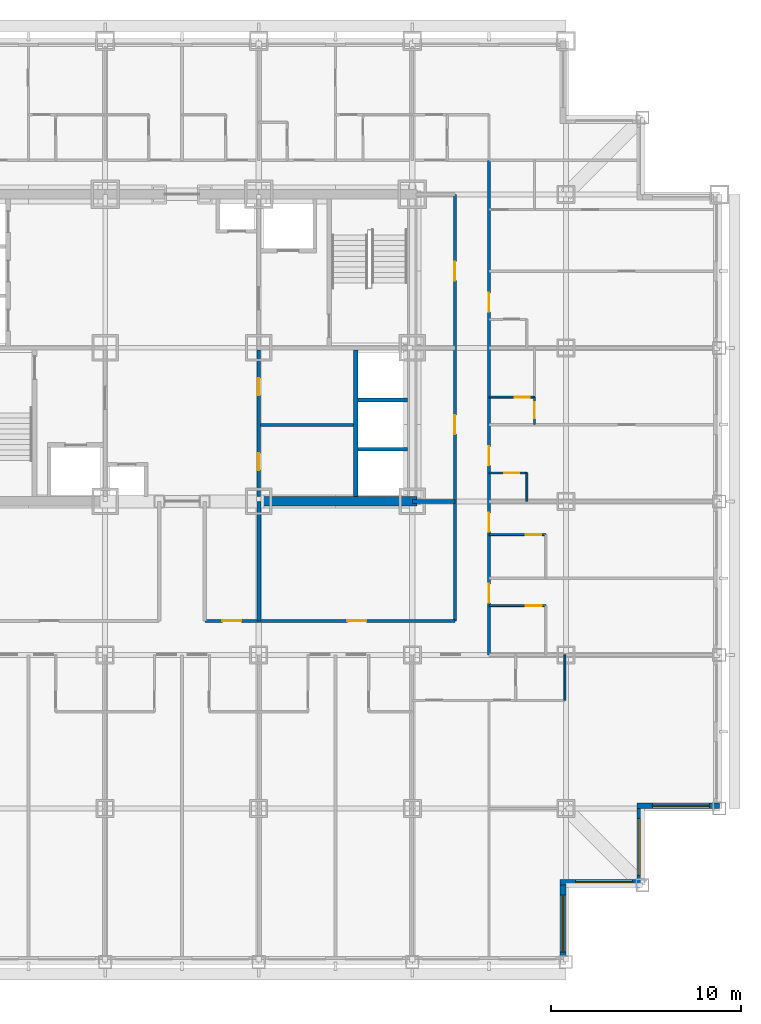
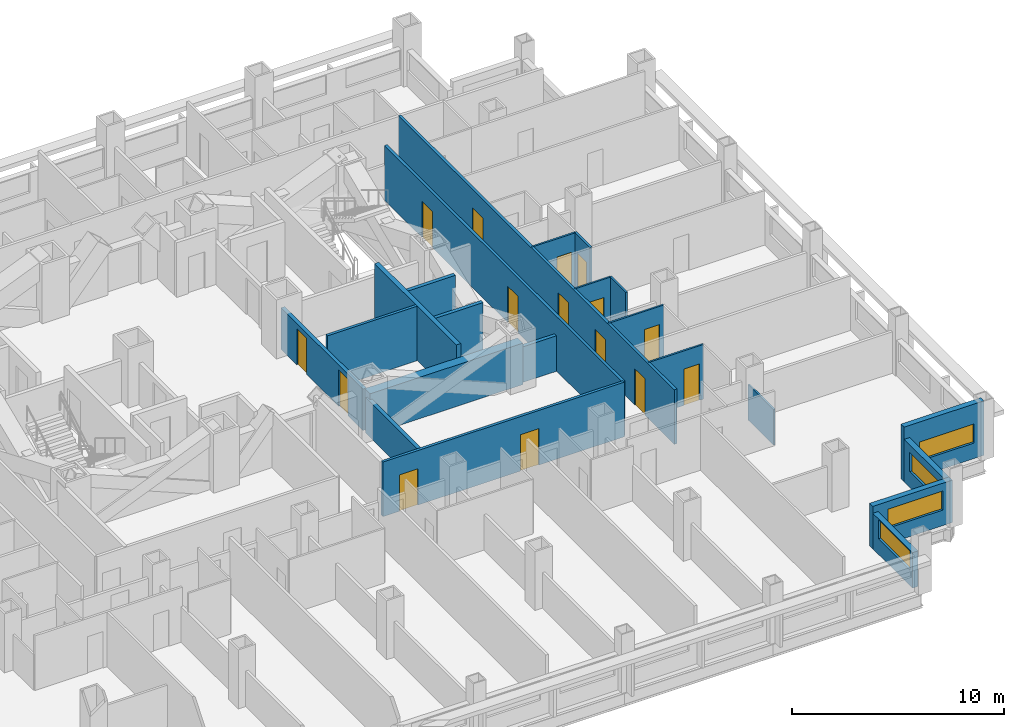
# One storey, part 7 of 12: 22 walls, 15 doors, 4 windows, 19 openings.
"""IFC4 building model written with IfcOpenShell, lengths in metres."""

from ifc_helpers import new_model, si_unit, direction, frame, frame_2d, origin, place, context, subcontext, project, spatial, rectangle, extrude, material, layer, layer_set, type_object, element, fill, save


model = new_model("IFC4")

# Units and contexts
model_context = context("Model", 3, precision=1e-05, world=origin(), true_north=direction((0.0, 1.0)))
body_context = subcontext(model_context, "Body", "Model", "MODEL_VIEW")
ifc_project = project(units=[si_unit("LENGTHUNIT", "METRE"), si_unit("AREAUNIT", "SQUARE_METRE"), si_unit("VOLUMEUNIT", "CUBIC_METRE"), si_unit("PLANEANGLEUNIT", "RADIAN"), si_unit("MASSUNIT", "GRAM", prefix="KILO")], contexts=[model_context])

# Site, building, storey
site_placement = place(None, origin())
site = spatial("IfcSite", under=ifc_project, at=site_placement, CompositionType="ELEMENT")
building_placement = place(site_placement, origin())
building = spatial("IfcBuilding", under=site, at=building_placement, Name="Kopane Lantern Tower", CompositionType="ELEMENT")
storey_placement = place(building_placement, frame((0.0, 0.0, 87.39990234375)))
storey = spatial("IfcBuildingStorey", under=building, at=storey_placement, Name="L22", CompositionType="ELEMENT", Elevation=87.39990234375)

# Wall, opening, door
ifc_material_1 = material(Name="Gypsum board on steel studs", Category="steel")
ifc_layer_1 = layer(ifc_material_1, 0.1201171875)
ifc_layer_set_1 = layer_set([ifc_layer_1], Name="APARTMENT INTERNAL WALL 120")
wall_type_1 = type_object("IfcWallType", Name="APARTMENT INTERNAL WALL 120", PredefinedType="PARTITIONING", material=ifc_layer_set_1)
wall_1_placement = place(storey_placement, frame((46.949951171875, 29.81005859375, 0.0), z_axis=(0.0, 0.0, 1.0), x_axis=(0.0, -1.0, 0.0)))
wall_1 = element("IfcWall", 1, at=wall_1_placement, inside=storey, type_object=wall_type_1, Name="Apartment Internal Wall 120 L22", PredefinedType="PARTITIONING", context=body_context, shape_type="SweptSolid", body=[
    extrude(rectangle(XDim=1.4599609375, YDim=0.1201171875, at=frame_2d((0.72998046875, 0.0))), origin(), (0.0, 0.0, 1.0), 3.150146484375),
])
opening_1_placement = place(wall_1_placement, frame((0.27490234375, 0.0, 0.0)))
opening_1 = element("IfcOpeningElement", 2, at=opening_1_placement, cuts=wall_1, Name="Opening L22-075", PredefinedType="OPENING", context=body_context, shape_type="SweptSolid", body=[
    extrude(rectangle(XDim=0.85009765625, YDim=2.10009765625, at=frame_2d((0.425048828125, 1.050048828125))), frame((0.0, 0.070068359375, 0.0), z_axis=(0.0, -1.0, 0.0), x_axis=(1.0, 0.0, 0.0)), (0.0, 0.0, 1.0), 0.14013671875),
])
ifc_material_2 = material(Name="Timber door set", Category="wood")
door_type_1 = type_object("IfcDoorType", Name="DOOR D4 850x2100", OperationType="SINGLE_SWING_LEFT", PredefinedType="DOOR", material=ifc_material_2)
door_1_placement = place(opening_1_placement, origin())
door_1 = element("IfcDoor", 3, at=door_1_placement, inside=storey, type_object=door_type_1, Name="Door L22-075", OperationType="SINGLE_SWING_RIGHT", OverallHeight=2.10009765625, OverallWidth=0.85009765625, PredefinedType="DOOR", context=body_context, shape_type="SweptSolid", body=[
    extrude(rectangle(XDim=0.85009765625, YDim=2.10009765625, at=frame_2d((0.425048828125, 1.050048828125))), frame((0.0, 0.02490234375, 0.0), z_axis=(0.0, -1.0, 0.0), x_axis=(1.0, 0.0, 0.0)), (0.0, 0.0, 1.0), 0.050048828125),
])
fill(opening_1, door_1)

ifc_material_3 = material(Name="Moisture-resistant board on steel studs", Category="steel")
ifc_layer_2 = layer(ifc_material_3, 0.10009765625)
ifc_layer_set_2 = layer_set([ifc_layer_2], Name="BATHROOM WALL 100")
wall_type_2 = type_object("IfcWallType", Name="BATHROOM WALL 100", PredefinedType="PARTITIONING", material=ifc_layer_set_2)
wall_2_placement = place(storey_placement, frame((44.550048828125, 18.800048828125, 0.0), z_axis=(0.0, 0.0, 1.0), x_axis=(1.0, 0.0, 0.0)))
wall_2 = element("IfcWall", 4, at=wall_2_placement, inside=storey, type_object=wall_type_2, Name="Bathroom Wall 100 L22", PredefinedType="PARTITIONING", context=body_context, shape_type="SweptSolid", body=[
    extrude(rectangle(XDim=3.0, YDim=0.10009765625, at=frame_2d((1.5, 0.0))), origin(), (0.0, 0.0, 1.0), 3.150146484375),
])
opening_2_placement = place(wall_2_placement, frame((1.925048828125, 0.0, 0.0)))
opening_2 = element("IfcOpeningElement", 5, at=opening_2_placement, cuts=wall_2, Name="Opening L22-045", PredefinedType="OPENING", context=body_context, shape_type="SweptSolid", body=[
    extrude(rectangle(XDim=0.85009765625, YDim=2.10009765625, at=frame_2d((0.425048828125, 1.050048828125))), frame((0.0, 0.06005859375, 0.0), z_axis=(0.0, -1.0, 0.0), x_axis=(1.0, 0.0, 0.0)), (0.0, 0.0, 1.0), 0.1201171875),
])
door_2_placement = place(opening_2_placement, origin())
door_2 = element("IfcDoor", 6, at=door_2_placement, inside=storey, type_object=door_type_1, Name="Door L22-045", OperationType="SINGLE_SWING_LEFT", OverallHeight=2.10009765625, OverallWidth=0.85009765625, PredefinedType="DOOR", context=body_context, shape_type="SweptSolid", body=[
    extrude(rectangle(XDim=0.85009765625, YDim=2.10009765625, at=frame_2d((0.425048828125, 1.050048828125))), frame((0.0, 0.02490234375, 0.0), z_axis=(0.0, -1.0, 0.0), x_axis=(1.0, 0.0, 0.0)), (0.0, 0.0, 1.0), 0.050048828125),
])
fill(opening_2, door_2)

wall_3_placement = place(storey_placement, frame((44.550048828125, 22.550048828125, 0.0), z_axis=(0.0, 0.0, 1.0), x_axis=(1.0, 0.0, 0.0)))
wall_3 = element("IfcWall", 7, at=wall_3_placement, inside=storey, type_object=wall_type_2, Name="Bathroom Wall 100 L22", PredefinedType="PARTITIONING", context=body_context, shape_type="SweptSolid", body=[
    extrude(rectangle(XDim=3.0, YDim=0.10009765625, at=frame_2d((1.5, 0.0))), origin(), (0.0, 0.0, 1.0), 3.150146484375),
])
opening_3_placement = place(wall_3_placement, frame((1.949951171875, 0.0, 0.0)))
opening_3 = element("IfcOpeningElement", 8, at=opening_3_placement, cuts=wall_3, Name="Opening L22-047", PredefinedType="OPENING", context=body_context, shape_type="SweptSolid", body=[
    extrude(rectangle(XDim=0.800048828125, YDim=2.10009765625, at=frame_2d((0.39990234375, 1.050048828125))), frame((0.0, 0.06005859375, 0.0), z_axis=(0.0, -1.0, 0.0), x_axis=(1.0, 0.0, 0.0)), (0.0, 0.0, 1.0), 0.1201171875),
])
ifc_material_4 = material(Name="Timber door set", Category="wood")
door_type_2 = type_object("IfcDoorType", Name="DOOR D2 800x2100", OperationType="SINGLE_SWING_LEFT", PredefinedType="DOOR", material=ifc_material_4)
door_3_placement = place(opening_3_placement, origin())
door_3 = element("IfcDoor", 9, at=door_3_placement, inside=storey, type_object=door_type_2, Name="Door L22-047", OperationType="SINGLE_SWING_LEFT", OverallHeight=2.10009765625, OverallWidth=0.800048828125, PredefinedType="DOOR", context=body_context, shape_type="SweptSolid", body=[
    extrude(rectangle(XDim=0.800048828125, YDim=2.10009765625, at=frame_2d((0.39990234375, 1.050048828125))), frame((0.0, 0.02490234375, 0.0), z_axis=(0.0, -1.0, 0.0), x_axis=(1.0, 0.0, 0.0)), (0.0, 0.0, 1.0), 0.050048828125),
])
fill(opening_3, door_3)

# Wall
wall_4_placement = place(storey_placement, frame((46.550048828125, 24.300048828125, 0.0), z_axis=(0.0, 0.0, 1.0), x_axis=(0.0, 1.0, 0.0)))
element("IfcWall", 10, at=wall_4_placement, inside=storey, type_object=wall_type_2, Name="Bathroom Wall 100 L22", PredefinedType="PARTITIONING", context=body_context, shape_type="SweptSolid", body=[
    extrude(rectangle(XDim=1.5, YDim=0.10009765625, at=frame_2d((0.75, 0.0))), origin(), (0.0, 0.0, 1.0), 3.150146484375),
])

# Wall, opening, door
wall_5_placement = place(storey_placement, frame((44.550048828125, 25.800048828125, 0.0), z_axis=(0.0, 0.0, 1.0), x_axis=(1.0, 0.0, 0.0)))
wall_5 = element("IfcWall", 11, at=wall_5_placement, inside=storey, type_object=wall_type_2, Name="Bathroom Wall 100 L22", PredefinedType="PARTITIONING", context=body_context, shape_type="SweptSolid", body=[
    extrude(rectangle(XDim=2.0, YDim=0.10009765625, at=frame_2d((1.0, 0.0))), origin(), (0.0, 0.0, 1.0), 3.150146484375),
])
opening_4_placement = place(wall_5_placement, frame((0.800048828125, 0.0, 0.0)))
opening_4 = element("IfcOpeningElement", 12, at=opening_4_placement, cuts=wall_5, Name="Opening L22-049", PredefinedType="OPENING", context=body_context, shape_type="SweptSolid", body=[
    extrude(rectangle(XDim=0.800048828125, YDim=2.10009765625, at=frame_2d((0.39990234375, 1.050048828125))), frame((0.0, 0.06005859375, 0.0), z_axis=(0.0, -1.0, 0.0), x_axis=(1.0, 0.0, 0.0)), (0.0, 0.0, 1.0), 0.1201171875),
])
door_4_placement = place(opening_4_placement, origin())
door_4 = element("IfcDoor", 13, at=door_4_placement, inside=storey, type_object=door_type_2, Name="Door L22-049", OperationType="SINGLE_SWING_LEFT", OverallHeight=2.10009765625, OverallWidth=0.800048828125, PredefinedType="DOOR", context=body_context, shape_type="SweptSolid", body=[
    extrude(rectangle(XDim=0.800048828125, YDim=2.10009765625, at=frame_2d((0.39990234375, 1.050048828125))), frame((0.0, 0.02490234375, 0.0), z_axis=(0.0, -1.0, 0.0), x_axis=(1.0, 0.0, 0.0)), (0.0, 0.0, 1.0), 0.050048828125),
])
fill(opening_4, door_4)

wall_6_placement = place(storey_placement, frame((44.550048828125, 29.800048828125, 0.0), z_axis=(0.0, 0.0, 1.0), x_axis=(1.0, 0.0, 0.0)))
wall_6 = element("IfcWall", 14, at=wall_6_placement, inside=storey, type_object=wall_type_2, Name="Bathroom Wall 100 L22", PredefinedType="PARTITIONING", context=body_context, shape_type="SweptSolid", body=[
    extrude(rectangle(XDim=2.39990234375, YDim=0.10009765625, at=frame_2d((1.199951171875, 0.0))), origin(), (0.0, 0.0, 1.0), 3.150146484375),
])
opening_5_placement = place(wall_6_placement, frame((1.35009765625, 0.0, 0.0)))
opening_5 = element("IfcOpeningElement", 15, at=opening_5_placement, cuts=wall_6, Name="Opening L22-051", PredefinedType="OPENING", context=body_context, shape_type="SweptSolid", body=[
    extrude(rectangle(XDim=0.800048828125, YDim=2.10009765625, at=frame_2d((0.39990234375, 1.050048828125))), frame((0.0, 0.06005859375, 0.0), z_axis=(0.0, -1.0, 0.0), x_axis=(1.0, 0.0, 0.0)), (0.0, 0.0, 1.0), 0.1201171875),
])
door_5_placement = place(opening_5_placement, origin())
door_5 = element("IfcDoor", 16, at=door_5_placement, inside=storey, type_object=door_type_2, Name="Door L22-051", OperationType="SINGLE_SWING_LEFT", OverallHeight=2.10009765625, OverallWidth=0.800048828125, PredefinedType="DOOR", context=body_context, shape_type="SweptSolid", body=[
    extrude(rectangle(XDim=0.800048828125, YDim=2.10009765625, at=frame_2d((0.39990234375, 1.050048828125))), frame((0.0, 0.02490234375, 0.0), z_axis=(0.0, -1.0, 0.0), x_axis=(1.0, 0.0, 0.0)), (0.0, 0.0, 1.0), 0.050048828125),
])
fill(opening_5, door_5)

# Walls
wall_7_placement = place(storey_placement, frame((48.550048828125, 16.199951171875, 0.0), z_axis=(0.0, 0.0, 1.0), x_axis=(0.0, -1.0, 0.0)))
element("IfcWall", 17, at=wall_7_placement, inside=storey, type_object=wall_type_2, Name="Bathroom Wall 100 L22", PredefinedType="PARTITIONING", context=body_context, shape_type="SweptSolid", body=[
    extrude(rectangle(XDim=2.39990234375, YDim=0.10009765625, at=frame_2d((1.199951171875, 0.0))), origin(), (0.0, 0.0, 1.0), 2.050048828125),
])
ifc_material_5 = material(Name="Gypsum shaft wall EI 120", Category="gypsum")
ifc_layer_3 = layer(ifc_material_5, 0.5)
ifc_layer_set_3 = layer_set([ifc_layer_3], Name="CORE PERIMETER WALL 500 EI 120")
wall_type_3 = type_object("IfcWallType", Name="CORE PERIMETER WALL 500 EI 120", PredefinedType="SOLIDWALL", material=ifc_layer_set_3)
wall_8_placement = place(storey_placement, frame((32.39990234375, 24.300048828125, 0.0), z_axis=(0.0, 0.0, 1.0), x_axis=(1.0, 0.0, 0.0)))
element("IfcWall", 18, at=wall_8_placement, inside=storey, type_object=wall_type_3, Name="Core shaft wall L22 PSE", PredefinedType="SOLIDWALL", context=body_context, shape_type="SweptSolid", body=[
    extrude(rectangle(XDim=8.35009765625, YDim=0.5, at=frame_2d((4.175048828125, 0.0))), origin(), (0.0, 0.0, 1.0), 2.387939453125),
])
ifc_material_6 = material(Name="Gypsum partition EI 60", Category="gypsum")
ifc_layer_4 = layer(ifc_material_6, 0.14990234375)
ifc_layer_set_4 = layer_set([ifc_layer_4], Name="CORE ROOM PARTITION 150 EI 60")
wall_type_4 = type_object("IfcWallType", Name="CORE ROOM PARTITION 150 EI 60", PredefinedType="PARTITIONING", material=ifc_layer_set_4)
wall_9_placement = place(storey_placement, frame((32.5, 28.324951171875, 0.0), z_axis=(0.0, 0.0, 1.0), x_axis=(1.0, 0.0, 0.0)))
element("IfcWall", 19, at=wall_9_placement, inside=storey, type_object=wall_type_4, Name="Core room partition L22 E1", PredefinedType="PARTITIONING", context=body_context, shape_type="SweptSolid", body=[
    extrude(rectangle(XDim=4.89990234375, YDim=0.14990234375, at=frame_2d((2.449951171875, 0.0))), origin(), (0.0, 0.0, 1.0), 3.150146484375),
])

# Wall, openings, doors
ifc_material_7 = material(Name="Gypsum partition EI 60", Category="gypsum")
ifc_layer_5 = layer(ifc_material_7, 0.199951171875)
ifc_layer_set_5 = layer_set([ifc_layer_5], Name="CORE ROOM WALL 200 EI 60")
wall_type_5 = type_object("IfcWallType", Name="CORE ROOM WALL 200 EI 60", PredefinedType="PARTITIONING", material=ifc_layer_set_5)
wall_10_placement = place(storey_placement, frame((32.39990234375, 24.550048828125, 0.0), z_axis=(0.0, 0.0, 1.0), x_axis=(0.0, 1.0, 0.0)))
wall_10 = element("IfcWall", 20, at=wall_10_placement, inside=storey, type_object=wall_type_5, Name="Core room wall L22 XE", PredefinedType="PARTITIONING", context=body_context, shape_type="SweptSolid", body=[
    extrude(rectangle(XDim=7.75, YDim=0.199951171875, at=frame_2d((3.875, 0.0))), origin(), (0.0, 0.0, 1.0), 2.387939453125),
])
opening_6_placement = place(wall_10_placement, frame((1.39990234375, 0.0, 0.0)))
opening_6 = element("IfcOpeningElement", 21, at=opening_6_placement, cuts=wall_10, Name="Opening 22.C20", PredefinedType="OPENING", context=body_context, shape_type="SweptSolid", body=[
    extrude(rectangle(XDim=0.89990234375, YDim=2.10009765625, at=frame_2d((0.449951171875, 1.050048828125))), frame((0.0, 0.10986328125, 0.0), z_axis=(0.0, -1.0, 0.0), x_axis=(1.0, 0.0, 0.0)), (0.0, 0.0, 1.0), 0.219970703125),
])
opening_7_placement = place(wall_10_placement, frame((5.35009765625, 0.0, 0.0)))
opening_7 = element("IfcOpeningElement", 22, at=opening_7_placement, cuts=wall_10, Name="Opening 22.C21", PredefinedType="OPENING", context=body_context, shape_type="SweptSolid", body=[
    extrude(rectangle(XDim=0.89990234375, YDim=2.10009765625, at=frame_2d((0.449951171875, 1.050048828125))), frame((0.0, 0.10986328125, 0.0), z_axis=(0.0, -1.0, 0.0), x_axis=(1.0, 0.0, 0.0)), (0.0, 0.0, 1.0), 0.219970703125),
])
ifc_material_8 = material(Name="Steel door set", Category="steel")
door_type_3 = type_object("IfcDoorType", Name="CORE ROOM DOOR 900x2100 FD60", OperationType="SINGLE_SWING_LEFT", PredefinedType="DOOR", material=ifc_material_8)
door_6_placement = place(opening_6_placement, origin())
door_6 = element("IfcDoor", 23, at=door_6_placement, inside=storey, type_object=door_type_3, Name="Door Linen store L22", OperationType="SINGLE_SWING_RIGHT", OverallHeight=2.10009765625, OverallWidth=0.89990234375, PredefinedType="DOOR", context=body_context, shape_type="SweptSolid", body=[
    extrude(rectangle(XDim=0.89990234375, YDim=2.10009765625, at=frame_2d((0.449951171875, 1.050048828125))), frame((0.0, 0.02490234375, 0.0), z_axis=(0.0, -1.0, 0.0), x_axis=(1.0, 0.0, 0.0)), (0.0, 0.0, 1.0), 0.050048828125),
])
fill(opening_6, door_6)
door_7_placement = place(opening_7_placement, origin())
door_7 = element("IfcDoor", 24, at=door_7_placement, inside=storey, type_object=door_type_3, Name="Door Housekeeping store L22", OperationType="SINGLE_SWING_LEFT", OverallHeight=2.10009765625, OverallWidth=0.89990234375, PredefinedType="DOOR", context=body_context, shape_type="SweptSolid", body=[
    extrude(rectangle(XDim=0.89990234375, YDim=2.10009765625, at=frame_2d((0.449951171875, 1.050048828125))), frame((0.0, 0.02490234375, 0.0), z_axis=(0.0, -1.0, 0.0), x_axis=(1.0, 0.0, 0.0)), (0.0, 0.0, 1.0), 0.050048828125),
])
fill(opening_7, door_7)

# Wall
ifc_material_9 = material(Name="Gypsum shaft wall EI 120", Category="gypsum")
ifc_layer_6 = layer(ifc_material_9, 0.25)
ifc_layer_set_6 = layer_set([ifc_layer_6], Name="CORE SHAFT WALL 250 EI 120")
wall_type_6 = type_object("IfcWallType", Name="CORE SHAFT WALL 250 EI 120", PredefinedType="SOLIDWALL", material=ifc_layer_set_6)
wall_11_placement = place(storey_placement, frame((37.52490234375, 24.550048828125, 0.0), z_axis=(0.0, 0.0, 1.0), x_axis=(0.0, 1.0, 0.0)))
element("IfcWall", 25, at=wall_11_placement, inside=storey, type_object=wall_type_6, Name="Core shaft wall L22 XLR", PredefinedType="SOLIDWALL", context=body_context, shape_type="SweptSolid", body=[
    extrude(rectangle(XDim=7.75, YDim=0.25, at=frame_2d((3.875, 0.0))), origin(), (0.0, 0.0, 1.0), 3.150146484375),
])

# Wall, openings, doors
ifc_material_10 = material(Name="Gypsum board on steel studs", Category="steel")
ifc_layer_7 = layer(ifc_material_10, 0.14990234375)
ifc_layer_set_7 = layer_set([ifc_layer_7], Name="CORRIDOR WALL 150 EI 60")
wall_type_7 = type_object("IfcWallType", Name="CORRIDOR WALL 150 EI 60", PredefinedType="PARTITIONING", material=ifc_layer_set_7)
wall_12_placement = place(storey_placement, frame((44.550048828125, 16.199951171875, 0.0), z_axis=(0.0, 0.0, 1.0), x_axis=(0.0, 1.0, 0.0)))
wall_12 = element("IfcWall", 26, at=wall_12_placement, inside=storey, type_object=wall_type_7, Name="Corridor Wall 150 Ei 60 L22", PredefinedType="PARTITIONING", context=body_context, shape_type="SweptSolid", body=[
    extrude(rectangle(XDim=26.10009765625, YDim=0.14990234375, at=frame_2d((13.050048828125, 0.0))), origin(), (0.0, 0.0, 1.0), 3.150146484375),
])
opening_8_placement = place(wall_12_placement, frame((2.75, 0.0, 0.0)))
opening_8 = element("IfcOpeningElement", 27, at=opening_8_placement, cuts=wall_12, Name="Opening L22-046", PredefinedType="OPENING", context=body_context, shape_type="SweptSolid", body=[
    extrude(rectangle(XDim=1.0, YDim=2.10009765625, at=frame_2d((0.5, 1.050048828125))), frame((0.0, 0.0849609375, 0.0), z_axis=(0.0, -1.0, 0.0), x_axis=(1.0, 0.0, 0.0)), (0.0, 0.0, 1.0), 0.169921875),
])
opening_9_placement = place(wall_12_placement, frame((6.5, 0.0, 0.0)))
opening_9 = element("IfcOpeningElement", 28, at=opening_9_placement, cuts=wall_12, Name="Opening L22-048", PredefinedType="OPENING", context=body_context, shape_type="SweptSolid", body=[
    extrude(rectangle(XDim=1.0, YDim=2.10009765625, at=frame_2d((0.5, 1.050048828125))), frame((0.0, 0.0849609375, 0.0), z_axis=(0.0, -1.0, 0.0), x_axis=(1.0, 0.0, 0.0)), (0.0, 0.0, 1.0), 0.169921875),
])
opening_10_placement = place(wall_12_placement, frame((10.0, 0.0, 0.0)))
opening_10 = element("IfcOpeningElement", 29, at=opening_10_placement, cuts=wall_12, Name="Opening L22-050", PredefinedType="OPENING", context=body_context, shape_type="SweptSolid", body=[
    extrude(rectangle(XDim=1.0, YDim=2.10009765625, at=frame_2d((0.5, 1.050048828125))), frame((0.0, 0.0849609375, 0.0), z_axis=(0.0, -1.0, 0.0), x_axis=(1.0, 0.0, 0.0)), (0.0, 0.0, 1.0), 0.169921875),
])
opening_11_placement = place(wall_12_placement, frame((18.10009765625, 0.0, 0.0)))
opening_11 = element("IfcOpeningElement", 30, at=opening_11_placement, cuts=wall_12, Name="Opening L22-054", PredefinedType="OPENING", context=body_context, shape_type="SweptSolid", body=[
    extrude(rectangle(XDim=1.0, YDim=2.10009765625, at=frame_2d((0.5, 1.050048828125))), frame((0.0, 0.0849609375, 0.0), z_axis=(0.0, -1.0, 0.0), x_axis=(1.0, 0.0, 0.0)), (0.0, 0.0, 1.0), 0.169921875),
])
ifc_material_11 = material(Name="Steel door set", Category="steel")
door_type_4 = type_object("IfcDoorType", Name="DOOR D1 1000x2100 FD30S", OperationType="SINGLE_SWING_LEFT", PredefinedType="DOOR", material=ifc_material_11)
door_8_placement = place(opening_8_placement, origin())
door_8 = element("IfcDoor", 31, at=door_8_placement, inside=storey, type_object=door_type_4, Name="Door L22-046", OperationType="SINGLE_SWING_RIGHT", OverallHeight=2.10009765625, OverallWidth=1.0, PredefinedType="DOOR", context=body_context, shape_type="SweptSolid", body=[
    extrude(rectangle(XDim=1.0, YDim=2.10009765625, at=frame_2d((0.5, 1.050048828125))), frame((0.0, 0.02490234375, 0.0), z_axis=(0.0, -1.0, 0.0), x_axis=(1.0, 0.0, 0.0)), (0.0, 0.0, 1.0), 0.050048828125),
])
fill(opening_8, door_8)
door_9_placement = place(opening_9_placement, origin())
door_9 = element("IfcDoor", 32, at=door_9_placement, inside=storey, type_object=door_type_4, Name="Door L22-048", OperationType="SINGLE_SWING_RIGHT", OverallHeight=2.10009765625, OverallWidth=1.0, PredefinedType="DOOR", context=body_context, shape_type="SweptSolid", body=[
    extrude(rectangle(XDim=1.0, YDim=2.10009765625, at=frame_2d((0.5, 1.050048828125))), frame((0.0, 0.02490234375, 0.0), z_axis=(0.0, -1.0, 0.0), x_axis=(1.0, 0.0, 0.0)), (0.0, 0.0, 1.0), 0.050048828125),
])
fill(opening_9, door_9)
door_10_placement = place(opening_10_placement, origin())
door_10 = element("IfcDoor", 33, at=door_10_placement, inside=storey, type_object=door_type_4, Name="Door L22-050", OperationType="SINGLE_SWING_RIGHT", OverallHeight=2.10009765625, OverallWidth=1.0, PredefinedType="DOOR", context=body_context, shape_type="SweptSolid", body=[
    extrude(rectangle(XDim=1.0, YDim=2.10009765625, at=frame_2d((0.5, 1.050048828125))), frame((0.0, 0.02490234375, 0.0), z_axis=(0.0, -1.0, 0.0), x_axis=(1.0, 0.0, 0.0)), (0.0, 0.0, 1.0), 0.050048828125),
])
fill(opening_10, door_10)
door_11_placement = place(opening_11_placement, origin())
door_11 = element("IfcDoor", 34, at=door_11_placement, inside=storey, type_object=door_type_4, Name="Door L22-054", OperationType="SINGLE_SWING_RIGHT", OverallHeight=2.10009765625, OverallWidth=1.0, PredefinedType="DOOR", context=body_context, shape_type="SweptSolid", body=[
    extrude(rectangle(XDim=1.0, YDim=2.10009765625, at=frame_2d((0.5, 1.050048828125))), frame((0.0, 0.02490234375, 0.0), z_axis=(0.0, -1.0, 0.0), x_axis=(1.0, 0.0, 0.0)), (0.0, 0.0, 1.0), 0.050048828125),
])
fill(opening_11, door_11)

wall_13_placement = place(storey_placement, frame((42.75, 18.0, 0.0), z_axis=(0.0, 0.0, 1.0), x_axis=(0.0, 1.0, 0.0)))
wall_13 = element("IfcWall", 35, at=wall_13_placement, inside=storey, type_object=wall_type_7, Name="Corridor Wall 150 Ei 60 L22", PredefinedType="PARTITIONING", context=body_context, shape_type="SweptSolid", body=[
    extrude(rectangle(XDim=22.5, YDim=0.14990234375, at=frame_2d((11.25, 0.0))), origin(), (0.0, 0.0, 1.0), 3.150146484375),
])
opening_12_placement = place(wall_13_placement, frame((9.85009765625, 0.0, 0.0)))
opening_12 = element("IfcOpeningElement", 36, at=opening_12_placement, cuts=wall_13, Name="Opening L22-003", PredefinedType="OPENING", context=body_context, shape_type="SweptSolid", body=[
    extrude(rectangle(XDim=1.0, YDim=2.10009765625, at=frame_2d((0.5, 1.050048828125))), frame((0.0, 0.0849609375, 0.0), z_axis=(0.0, -1.0, 0.0), x_axis=(1.0, 0.0, 0.0)), (0.0, 0.0, 1.0), 0.169921875),
])
opening_13_placement = place(wall_13_placement, frame((17.949951171875, 0.0, 0.0)))
opening_13 = element("IfcOpeningElement", 37, at=opening_13_placement, cuts=wall_13, Name="Opening L22-004", PredefinedType="OPENING", context=body_context, shape_type="SweptSolid", body=[
    extrude(rectangle(XDim=1.0, YDim=2.10009765625, at=frame_2d((0.5, 1.050048828125))), frame((0.0, 0.0849609375, 0.0), z_axis=(0.0, -1.0, 0.0), x_axis=(1.0, 0.0, 0.0)), (0.0, 0.0, 1.0), 0.169921875),
])
ifc_material_12 = material(Name="Steel door set", Category="steel")
door_type_5 = type_object("IfcDoorType", Name="DOOR D5 1000x2100 FD60", OperationType="SINGLE_SWING_LEFT", PredefinedType="DOOR", material=ifc_material_12)
door_12_placement = place(opening_12_placement, origin())
door_12 = element("IfcDoor", 38, at=door_12_placement, inside=storey, type_object=door_type_5, Name="Door L22-003", OperationType="SINGLE_SWING_LEFT", OverallHeight=2.10009765625, OverallWidth=1.0, PredefinedType="DOOR", context=body_context, shape_type="SweptSolid", body=[
    extrude(rectangle(XDim=1.0, YDim=2.10009765625, at=frame_2d((0.5, 1.050048828125))), frame((0.0, 0.02490234375, 0.0), z_axis=(0.0, -1.0, 0.0), x_axis=(1.0, 0.0, 0.0)), (0.0, 0.0, 1.0), 0.050048828125),
])
fill(opening_12, door_12)
door_13_placement = place(opening_13_placement, origin())
door_13 = element("IfcDoor", 39, at=door_13_placement, inside=storey, type_object=door_type_5, Name="Door L22-004", OperationType="SINGLE_SWING_RIGHT", OverallHeight=2.10009765625, OverallWidth=1.0, PredefinedType="DOOR", context=body_context, shape_type="SweptSolid", body=[
    extrude(rectangle(XDim=1.0, YDim=2.10009765625, at=frame_2d((0.5, 1.050048828125))), frame((0.0, 0.02490234375, 0.0), z_axis=(0.0, -1.0, 0.0), x_axis=(1.0, 0.0, 0.0)), (0.0, 0.0, 1.0), 0.050048828125),
])
fill(opening_13, door_13)

wall_14_placement = place(storey_placement, frame((29.56005859375, 18.0, 0.0), z_axis=(0.0, 0.0, 1.0), x_axis=(1.0, 0.0, 0.0)))
wall_14 = element("IfcWall", 40, at=wall_14_placement, inside=storey, type_object=wall_type_7, Name="Corridor Wall 150 Ei 60 L22", PredefinedType="PARTITIONING", context=body_context, shape_type="SweptSolid", body=[
    extrude(rectangle(XDim=13.18994140625, YDim=0.14990234375, at=frame_2d((6.594970703125, 0.0))), origin(), (0.0, 0.0, 1.0), 3.150146484375),
])
opening_14_placement = place(wall_14_placement, frame((0.918701171875, 0.0, 0.0)))
opening_14 = element("IfcOpeningElement", 41, at=opening_14_placement, cuts=wall_14, Name="Opening L22-007", PredefinedType="OPENING", context=body_context, shape_type="SweptSolid", body=[
    extrude(rectangle(XDim=1.0, YDim=2.10009765625, at=frame_2d((0.5, 1.050048828125))), frame((0.0, 0.0849609375, 0.0), z_axis=(0.0, -1.0, 0.0), x_axis=(1.0, 0.0, 0.0)), (0.0, 0.0, 1.0), 0.169921875),
])
opening_15_placement = place(wall_14_placement, frame((7.5185546875, 0.0, 0.0)))
opening_15 = element("IfcOpeningElement", 42, at=opening_15_placement, cuts=wall_14, Name="Opening L22-008", PredefinedType="OPENING", context=body_context, shape_type="SweptSolid", body=[
    extrude(rectangle(XDim=1.0, YDim=2.10009765625, at=frame_2d((0.5, 1.050048828125))), frame((0.0, 0.0849609375, 0.0), z_axis=(0.0, -1.0, 0.0), x_axis=(1.0, 0.0, 0.0)), (0.0, 0.0, 1.0), 0.169921875),
])
door_14_placement = place(opening_14_placement, origin())
door_14 = element("IfcDoor", 43, at=door_14_placement, inside=storey, type_object=door_type_5, Name="Door L22-007", OperationType="SINGLE_SWING_LEFT", OverallHeight=2.10009765625, OverallWidth=1.0, PredefinedType="DOOR", context=body_context, shape_type="SweptSolid", body=[
    extrude(rectangle(XDim=1.0, YDim=2.10009765625, at=frame_2d((0.5, 1.050048828125))), frame((0.0, 0.02490234375, 0.0), z_axis=(0.0, -1.0, 0.0), x_axis=(1.0, 0.0, 0.0)), (0.0, 0.0, 1.0), 0.050048828125),
])
fill(opening_14, door_14)
door_15_placement = place(opening_15_placement, origin())
door_15 = element("IfcDoor", 44, at=door_15_placement, inside=storey, type_object=door_type_5, Name="Door L22-008", OperationType="SINGLE_SWING_RIGHT", OverallHeight=2.10009765625, OverallWidth=1.0, PredefinedType="DOOR", context=body_context, shape_type="SweptSolid", body=[
    extrude(rectangle(XDim=1.0, YDim=2.10009765625, at=frame_2d((0.5, 1.050048828125))), frame((0.0, 0.02490234375, 0.0), z_axis=(0.0, -1.0, 0.0), x_axis=(1.0, 0.0, 0.0)), (0.0, 0.0, 1.0), 0.050048828125),
])
fill(opening_15, door_15)

# Wall, opening, window
ifc_material_13 = material(Name="Terracotta rainscreen on light steel framing", Category="masonry")
ifc_layer_8 = layer(ifc_material_13, 0.300048828125)
ifc_layer_set_8 = layer_set([ifc_layer_8], Name="EXTERNAL WALL EW1 300 TERRACOTTA")
wall_type_8 = type_object("IfcWallType", Name="EXTERNAL WALL EW1 300 TERRACOTTA", PredefinedType="SOLIDWALL", material=ifc_layer_set_8)
wall_15_placement = place(storey_placement, frame((48.449951171875, 0.300048828125, 0.0), z_axis=(0.0, 0.0, 1.0), x_axis=(0.0, 1.0, 0.0)))
wall_15 = element("IfcWall", 45, at=wall_15_placement, inside=storey, type_object=wall_type_8, Name="External wall E L22", PredefinedType="SOLIDWALL", context=body_context, shape_type="SweptSolid", body=[
    extrude(rectangle(XDim=3.75, YDim=0.300048828125, at=frame_2d((1.875, 0.0))), origin(), (0.0, 0.0, 1.0), 2.050048828125),
])
opening_16_placement = place(wall_15_placement, frame((0.22509765625, 0.0, 0.89990234375)))
opening_16 = element("IfcOpeningElement", 46, at=opening_16_placement, cuts=wall_15, Name="Opening WR300110", PredefinedType="OPENING", context=body_context, shape_type="SweptSolid", body=[
    extrude(rectangle(XDim=3.0, YDim=1.10009765625, at=frame_2d((1.5, 0.550048828125))), frame((0.0, 0.159912109375, 0.0), z_axis=(0.0, -1.0, 0.0), x_axis=(1.0, 0.0, 0.0)), (0.0, 0.0, 1.0), 0.320068359375),
])
ifc_material_14 = material(Name="Aluminium and clear glass", Category="aluminium")
window_type = type_object("IfcWindowType", Name="RIBBON WINDOW WR300110 3000x1100", PartitioningType="SINGLE_PANEL", PredefinedType="WINDOW", material=ifc_material_14)
window_1_placement = place(opening_16_placement, origin())
window_1 = element("IfcWindow", 47, at=window_1_placement, inside=storey, type_object=window_type, Name="Window E L22", OverallHeight=1.10009765625, OverallWidth=3.0, PartitioningType="SINGLE_PANEL", PredefinedType="WINDOW", context=body_context, shape_type="SweptSolid", body=[
    extrude(rectangle(XDim=3.0, YDim=1.10009765625, at=frame_2d((1.5, 0.550048828125))), frame((0.0, 0.030029296875, 0.0), z_axis=(0.0, -1.0, 0.0), x_axis=(1.0, 0.0, 0.0)), (0.0, 0.0, 1.0), 0.06005859375),
])
fill(opening_16, window_1)

wall_16_placement = place(storey_placement, frame((48.300048828125, 4.199951171875, 0.0), z_axis=(0.0, 0.0, 1.0), x_axis=(1.0, 0.0, 0.0)))
wall_16 = element("IfcWall", 48, at=wall_16_placement, inside=storey, type_object=wall_type_8, Name="External wall S L22", PredefinedType="SOLIDWALL", context=body_context, shape_type="SweptSolid", body=[
    extrude(rectangle(XDim=4.349853515625, YDim=0.300048828125, at=frame_2d((2.1748046875, 0.0))), origin(), (0.0, 0.0, 1.0), 2.4501953125),
])
opening_17_placement = place(wall_16_placement, frame((0.824951171875, 0.0, 0.89990234375)))
opening_17 = element("IfcOpeningElement", 49, at=opening_17_placement, cuts=wall_16, Name="Opening WR300110", PredefinedType="OPENING", context=body_context, shape_type="SweptSolid", body=[
    extrude(rectangle(XDim=3.0, YDim=1.10009765625, at=frame_2d((1.5, 0.550048828125))), frame((0.0, 0.159912109375, 0.0), z_axis=(0.0, -1.0, 0.0), x_axis=(1.0, 0.0, 0.0)), (0.0, 0.0, 1.0), 0.320068359375),
])
window_2_placement = place(opening_17_placement, origin())
window_2 = element("IfcWindow", 50, at=window_2_placement, inside=storey, type_object=window_type, Name="Window S L22", OverallHeight=1.10009765625, OverallWidth=3.0, PartitioningType="SINGLE_PANEL", PredefinedType="WINDOW", context=body_context, shape_type="SweptSolid", body=[
    extrude(rectangle(XDim=3.0, YDim=1.10009765625, at=frame_2d((1.5, 0.550048828125))), frame((0.0, 0.030029296875, 0.0), z_axis=(0.0, -1.0, 0.0), x_axis=(1.0, 0.0, 0.0)), (0.0, 0.0, 1.0), 0.06005859375),
])
fill(opening_17, window_2)

wall_17_placement = place(storey_placement, frame((52.5, 4.35009765625, 0.0), z_axis=(0.0, 0.0, 1.0), x_axis=(0.0, 1.0, 0.0)))
wall_17 = element("IfcWall", 51, at=wall_17_placement, inside=storey, type_object=wall_type_8, Name="External wall E L22", PredefinedType="SOLIDWALL", context=body_context, shape_type="SweptSolid", body=[
    extrude(rectangle(XDim=3.75, YDim=0.300048828125, at=frame_2d((1.875, 0.0))), origin(), (0.0, 0.0, 1.0), 2.4501953125),
])
opening_18_placement = place(wall_17_placement, frame((0.22509765625, 0.0, 0.89990234375)))
opening_18 = element("IfcOpeningElement", 52, at=opening_18_placement, cuts=wall_17, Name="Opening WR300110", PredefinedType="OPENING", context=body_context, shape_type="SweptSolid", body=[
    extrude(rectangle(XDim=3.0, YDim=1.10009765625, at=frame_2d((1.5, 0.550048828125))), frame((0.0, 0.159912109375, 0.0), z_axis=(0.0, -1.0, 0.0), x_axis=(1.0, 0.0, 0.0)), (0.0, 0.0, 1.0), 0.320068359375),
])
window_3_placement = place(opening_18_placement, origin())
window_3 = element("IfcWindow", 53, at=window_3_placement, inside=storey, type_object=window_type, Name="Window E L22", OverallHeight=1.10009765625, OverallWidth=3.0, PartitioningType="SINGLE_PANEL", PredefinedType="WINDOW", context=body_context, shape_type="SweptSolid", body=[
    extrude(rectangle(XDim=3.0, YDim=1.10009765625, at=frame_2d((1.5, 0.550048828125))), frame((0.0, 0.030029296875, 0.0), z_axis=(0.0, -1.0, 0.0), x_axis=(1.0, 0.0, 0.0)), (0.0, 0.0, 1.0), 0.06005859375),
])
fill(opening_18, window_3)

wall_18_placement = place(storey_placement, frame((52.35009765625, 8.25, 0.0), z_axis=(0.0, 0.0, 1.0), x_axis=(1.0, 0.0, 0.0)))
wall_18 = element("IfcWall", 54, at=wall_18_placement, inside=storey, type_object=wall_type_8, Name="External wall S L22", PredefinedType="SOLIDWALL", context=body_context, shape_type="SweptSolid", body=[
    extrude(rectangle(XDim=4.349853515625, YDim=0.300048828125, at=frame_2d((2.1748046875, 0.0))), origin(), (0.0, 0.0, 1.0), 3.150146484375),
])
opening_19_placement = place(wall_18_placement, frame((0.824951171875, 0.0, 0.89990234375)))
opening_19 = element("IfcOpeningElement", 55, at=opening_19_placement, cuts=wall_18, Name="Opening WR300110", PredefinedType="OPENING", context=body_context, shape_type="SweptSolid", body=[
    extrude(rectangle(XDim=3.0, YDim=1.10009765625, at=frame_2d((1.5, 0.550048828125))), frame((0.0, 0.159912109375, 0.0), z_axis=(0.0, -1.0, 0.0), x_axis=(1.0, 0.0, 0.0)), (0.0, 0.0, 1.0), 0.320068359375),
])
window_4_placement = place(opening_19_placement, origin())
window_4 = element("IfcWindow", 56, at=window_4_placement, inside=storey, type_object=window_type, Name="Window S L22", OverallHeight=1.10009765625, OverallWidth=3.0, PartitioningType="SINGLE_PANEL", PredefinedType="WINDOW", context=body_context, shape_type="SweptSolid", body=[
    extrude(rectangle(XDim=3.0, YDim=1.10009765625, at=frame_2d((1.5, 0.550048828125))), frame((0.0, 0.030029296875, 0.0), z_axis=(0.0, -1.0, 0.0), x_axis=(1.0, 0.0, 0.0)), (0.0, 0.0, 1.0), 0.06005859375),
])
fill(opening_19, window_4)

# Walls
ifc_material_15 = material(Name="Concrete masonry", Category="masonry")
ifc_layer_9 = layer(ifc_material_15, 0.199951171875)
ifc_layer_set_9 = layer_set([ifc_layer_9], Name="PLANT ROOM WALL 200 EI 120")
wall_type_9 = type_object("IfcWallType", Name="PLANT ROOM WALL 200 EI 120", PredefinedType="SOLIDWALL", material=ifc_layer_set_9)
wall_19_placement = place(storey_placement, frame((32.406982421875, 18.0, 0.0), z_axis=(0.0, 0.0, 1.0), x_axis=(0.0, 1.0, 0.0)))
element("IfcWall", 57, at=wall_19_placement, inside=storey, type_object=wall_type_9, Name="Plant Room Wall 200 Ei 120 L22", PredefinedType="SOLIDWALL", context=body_context, shape_type="SweptSolid", body=[
    extrude(rectangle(XDim=6.300048828125, YDim=0.199951171875, at=frame_2d((3.14990234375, 0.0))), origin(), (0.0, 0.0, 1.0), 2.050048828125),
])
wall_20_placement = place(storey_placement, frame((40.5, 24.300048828125, 0.0), z_axis=(0.0, 0.0, 1.0), x_axis=(1.0, 0.0, 0.0)))
element("IfcWall", 58, at=wall_20_placement, inside=storey, type_object=wall_type_9, Name="Plant Room Wall 200 Ei 120 L22", PredefinedType="SOLIDWALL", context=body_context, shape_type="SweptSolid", body=[
    extrude(rectangle(XDim=2.25, YDim=0.199951171875, at=frame_2d((1.125, 0.0))), origin(), (0.0, 0.0, 1.0), 2.050048828125),
])
ifc_material_16 = material(Name="Gypsum shaft wall EI 120", Category="gypsum")
ifc_layer_10 = layer(ifc_material_16, 0.199951171875)
ifc_layer_set_10 = layer_set([ifc_layer_10], Name="SHAFT WALL 200 EI 120")
wall_type_10 = type_object("IfcWallType", Name="SHAFT WALL 200 EI 120", PredefinedType="SOLIDWALL", material=ifc_layer_set_10)
for number, where, z_axis, x_axis, name in (
    (59, (37.64990234375, 27.050048828125, 0.0), (0.0, 0.0, 1.0), (1.0, 0.0, 0.0), "Core shaft wall L22 YLR12"),
    (60, (37.64990234375, 29.64990234375, 0.0), (0.0, 0.0, 1.0), (1.0, 0.0, 0.0), "Core shaft wall L22 YLR23"),
):
    element("IfcWall", number, at=place(storey_placement, frame(where, z_axis=z_axis, x_axis=x_axis)), inside=storey, type_object=wall_type_10, Name=name, PredefinedType="SOLIDWALL", context=body_context, shape_type="SweptSolid", body=[
        extrude(rectangle(XDim=2.60009765625, YDim=0.199951171875, at=frame_2d((1.300048828125, 0.0))), origin(), (0.0, 0.0, 1.0), 3.150146484375),
    ])

save(model, "model.ifc")
